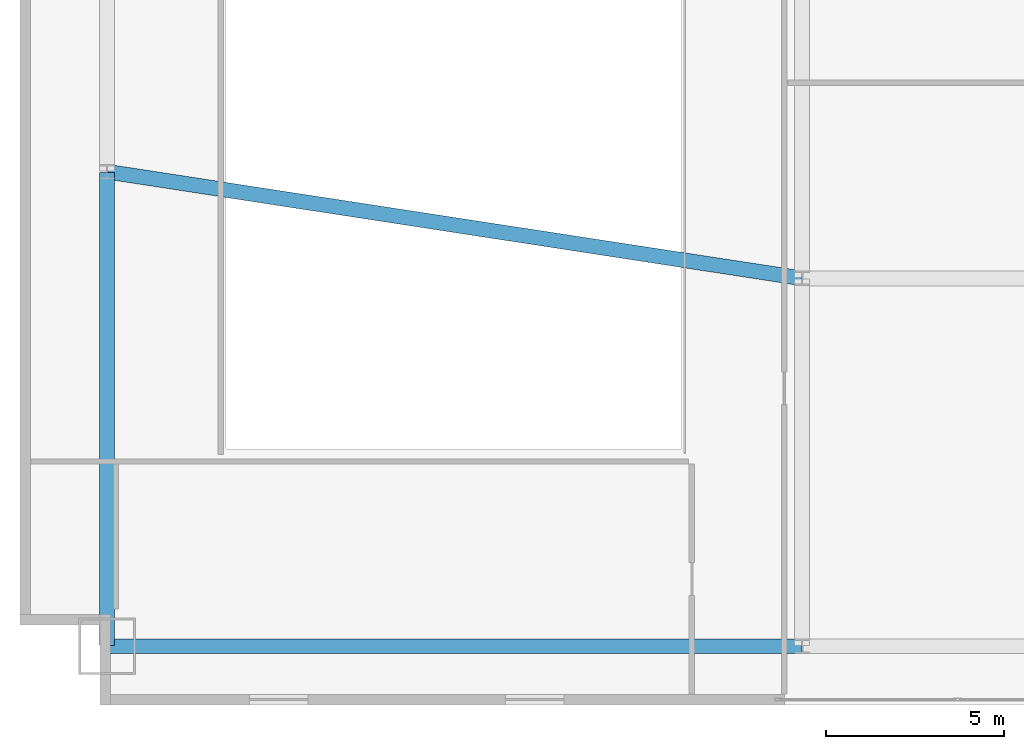
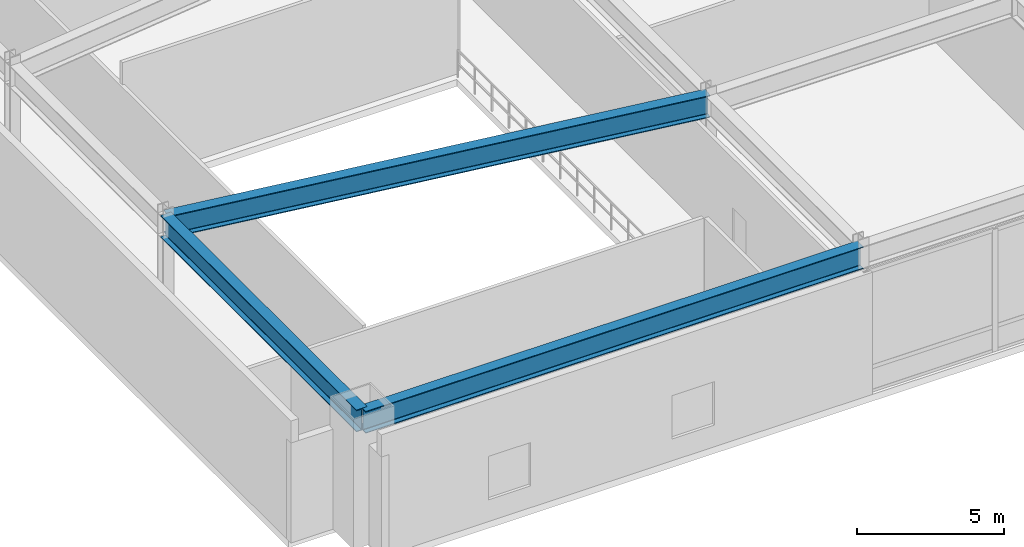
# One storey, part 3 of 13: 3 beams.
"""IFC4 building model written with IfcOpenShell, lengths in metres."""

from ifc_helpers import new_model, si_unit, direction, frame, origin, origin_2d, place, context, subcontext, project, spatial, i_section, extrude, source, transform, mapped, material, material_profile, profile_set, type_object, type_shapes, element, save


model = new_model("IFC4")

# Units and contexts
model_context = context("Model", 3, precision=1e-05, world=origin(), true_north=direction((0.0, 1.0)))
body_context = subcontext(model_context, "Body", "Model", "MODEL_VIEW")
ifc_project = project(units=[si_unit("LENGTHUNIT", "METRE"), si_unit("AREAUNIT", "SQUARE_METRE"), si_unit("VOLUMEUNIT", "CUBIC_METRE"), si_unit("PLANEANGLEUNIT", "RADIAN"), si_unit("MASSUNIT", "GRAM", prefix="KILO")], contexts=[model_context])

# Site, building, storey
site_placement = place(None, origin())
site = spatial("IfcSite", under=ifc_project, at=site_placement, CompositionType="ELEMENT")
building_placement = place(site_placement, origin())
building = spatial("IfcBuilding", under=site, at=building_placement, Name="Varnel Quay Broadcast Tower", CompositionType="ELEMENT")
storey_placement = place(building_placement, frame((0.0, 0.0, 16.800048828125)))
storey = spatial("IfcBuildingStorey", under=building, at=storey_placement, Name="L03", CompositionType="ELEMENT", Elevation=16.800048828125)

# Beams
ifc_material = material(Name="Structural Steel CSA G40.21 350W", Category="steel")
ifc_material_profile = material_profile(ifc_material, i_section(OverallWidth=0.41796875, OverallDepth=0.912109375, WebThickness=0.019287109375, FlangeThickness=0.031982421875, FilletRadius=0.02197265625, at=origin_2d()), Name="W920X342")
ifc_profile_set = profile_set([ifc_material_profile], Name="Structural Steel CSA G40.21 350W")
beam_type = type_object("IfcBeamType", Name="Girder_W920X342", PredefinedType="BEAM", material=ifc_profile_set)
shared_shape_1 = source(origin(), body_context, "Body", "SweptSolid", [
    extrude(i_section(OverallWidth=0.41796875, OverallDepth=0.912109375, WebThickness=0.019287109375, FlangeThickness=0.031982421875, FilletRadius=0.02197265625, at=origin_2d()), origin(), (0.0, 0.0, 1.0), 19.510009765625),
])
beam_1_placement = place(storey_placement, frame((2.469970703125, 1.64990234375, 4.6240234375), z_axis=(1.0, 0.0, 0.0), x_axis=(0.0, 1.0, 0.0)))
element("IfcBeam", 1, at=beam_1_placement, inside=storey, type_object=beam_type, Name="L03 Girder G-PS1", PredefinedType="BEAM", context=body_context, shape_type="MappedRepresentation", body=[
    mapped(shared_shape_1, transform((0.0, 0.0, 0.0), x_axis=(1.0, 0.0, 0.0), y_axis=(0.0, 1.0, 0.0), z_axis=(0.0, 0.0, 1.0), scale=1.0)),
])
shared_shape_2 = source(origin(), body_context, "Body", "SweptSolid", [
    extrude(i_section(OverallWidth=0.41796875, OverallDepth=0.912109375, WebThickness=0.019287109375, FlangeThickness=0.031982421875, FilletRadius=0.02197265625, at=origin_2d()), origin(), (0.0, 0.0, 1.0), 13.31005859375),
])
beam_2_placement = place(storey_placement, frame((2.449951171875, 1.669921875, 4.6240234375), z_axis=(0.0, 1.0, 0.0), x_axis=(-1.0, 0.0, 0.0)))
element("IfcBeam", 2, at=beam_2_placement, inside=storey, type_object=beam_type, Name="L03 Girder G-PW1", PredefinedType="BEAM", context=body_context, shape_type="MappedRepresentation", body=[
    mapped(shared_shape_2, transform((0.0, 0.0, 0.0), x_axis=(1.0, 0.0, 0.0), y_axis=(0.0, 1.0, 0.0), z_axis=(0.0, 0.0, 1.0), scale=1.0)),
])
shared_shape_3 = source(origin(), body_context, "Body", "SweptSolid", [
    extrude(i_section(OverallWidth=0.41796875, OverallDepth=0.912109375, WebThickness=0.019287109375, FlangeThickness=0.031982421875, FilletRadius=0.02197265625, at=origin_2d()), origin(), (0.0, 0.0, 1.0), 19.739013671875),
])
type_shapes(beam_type, [shared_shape_1, shared_shape_2, shared_shape_3])
beam_3_placement = place(storey_placement, frame((2.4697265625, 14.9970703125, 4.6240234375), z_axis=(0.988428537819, -0.151687262564, 0.0), x_axis=(0.151687262564, 0.988428537819, 0.0)))
element("IfcBeam", 3, at=beam_3_placement, inside=storey, type_object=beam_type, Name="L03 Girder G-STA1", PredefinedType="BEAM", context=body_context, shape_type="MappedRepresentation", body=[
    mapped(shared_shape_3, transform((0.0, 0.0, 0.0), x_axis=(1.0, 0.0, 0.0), y_axis=(0.0, 1.0, 0.0), z_axis=(0.0, 0.0, 1.0), scale=1.0)),
])

save(model, "model.ifc")
